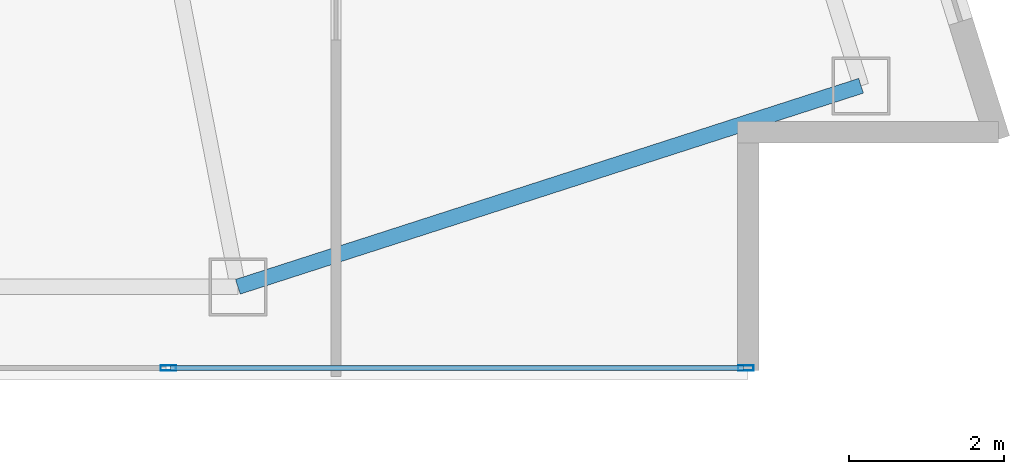
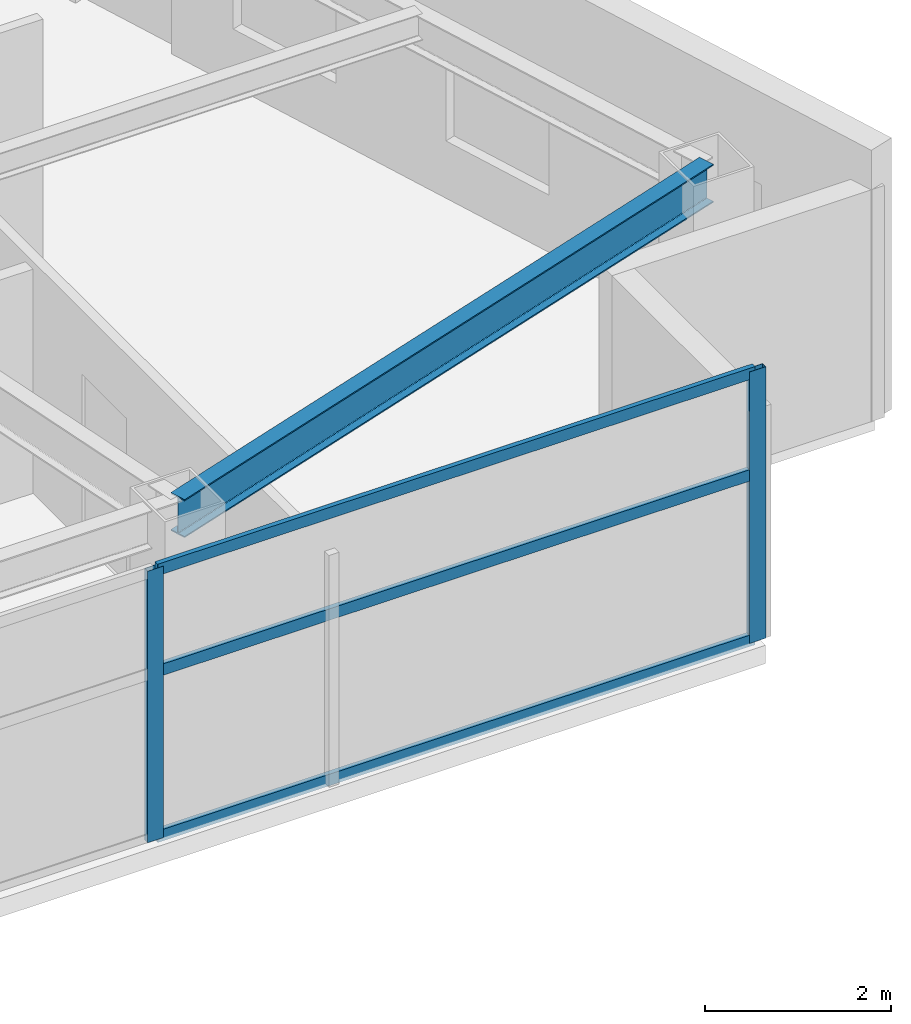
# One storey, part 14 of 28: 5 members, 1 beam, 1 element without a shape of its own.
"""IFC4 building model written with IfcOpenShell, lengths in metres."""

from ifc_helpers import new_model, si_unit, direction, frame, origin, origin_2d, place, context, subcontext, project, spatial, hollow_rectangle, i_section, extrude, material, layer, layer_set, material_profile, profile_set, type_object, element, aggregate, save


model = new_model("IFC4")

# Units and contexts
model_context = context("Model", 3, precision=1e-05, world=origin(), true_north=direction((0.0, 1.0)))
body_context = subcontext(model_context, "Body", "Model", "MODEL_VIEW")
ifc_project = project(units=[si_unit("LENGTHUNIT", "METRE"), si_unit("AREAUNIT", "SQUARE_METRE"), si_unit("VOLUMEUNIT", "CUBIC_METRE"), si_unit("PLANEANGLEUNIT", "RADIAN"), si_unit("MASSUNIT", "GRAM", prefix="KILO")], contexts=[model_context])

# Site, building, storey
site_placement = place(None, origin())
site = spatial("IfcSite", under=ifc_project, at=site_placement, CompositionType="ELEMENT")
building_placement = place(site_placement, origin())
building = spatial("IfcBuilding", under=site, at=building_placement, Name="Calvorn Quay Hotel", CompositionType="ELEMENT")
storey_placement = place(building_placement, frame((0.0, 0.0, 156.10009765625)))
storey = spatial("IfcBuildingStorey", under=building, at=storey_placement, Name="L38", CompositionType="ELEMENT", Elevation=156.10009765625)

# Beam
ifc_material_1 = material(Name="Steel Q355B", Category="steel")
ifc_material_profile_1 = material_profile(ifc_material_1, i_section(OverallWidth=0.199951171875, OverallDepth=0.5, WebThickness=0.010009765625, FlangeThickness=0.01611328125, FilletRadius=0.01611328125, at=origin_2d()), Name="HN500x200x10x16")
ifc_profile_set_1 = profile_set([ifc_material_profile_1], Name="Steel Q355B")
beam_type = type_object("IfcBeamType", Name="BM-SPANDREL-Z1", PredefinedType="SPANDREL", material=ifc_profile_set_1)
beam_placement = place(storey_placement, frame((49.39990234375, 3.60009765625, 3.289794921875), z_axis=(0.951725188386, 0.306951406237, 0.0), x_axis=(-0.306951406237, 0.951725188386, 0.0)))
element("IfcBeam", 1, at=beam_placement, inside=storey, type_object=beam_type, Name="Beam BSP-L38-S6", PredefinedType="SPANDREL", context=body_context, shape_type="SweptSolid", body=[
    extrude(i_section(OverallWidth=0.199951171875, OverallDepth=0.5, WebThickness=0.010009765625, FlangeThickness=0.01611328125, FilletRadius=0.01611328125, at=origin_2d()), origin(), (0.0, 0.0, 1.0), 8.469970703125),
])

# Curtain wall, members
ifc_material_2 = material(Name="Pale Anodised Aluminium and Low-E Glass", Category="aluminium")
ifc_layer = layer(ifc_material_2, 0.219970703125)
ifc_layer_set = layer_set([ifc_layer], Name="CW-SYS-Z2")
curtain_wall_type = type_object("IfcCurtainWallType", Name="CW-SYS-Z2", PredefinedType="NOTDEFINED", material=ifc_layer_set)
curtain_wall_placement = place(storey_placement, origin())
curtain_wall = element("IfcCurtainWall", 2, at=curtain_wall_placement, inside=storey, type_object=curtain_wall_type, Name="Tower South Waterfront Curtain Wall (L38)", PredefinedType="NOTDEFINED")
ifc_material_3 = material(Name="Pale Anodised Aluminium 6063-T6", Category="aluminium")
ifc_material_profile_2 = material_profile(ifc_material_3, hollow_rectangle(XDim=0.070068359375, YDim=0.199951171875, WallThickness=0.00390625, at=origin_2d()), Name="ALU-M200x70x4")
ifc_profile_set_2 = profile_set([ifc_material_profile_2], Name="Pale Anodised Aluminium 6063-T6")
member_type_1 = type_object("IfcMemberType", Name="CW-SYS-Z2-MUL", PredefinedType="MULLION", material=ifc_profile_set_2)
member_1_placement = place(storey_placement, frame((48.5, 2.550048828125, 0.0), z_axis=(0.0, 0.0, 1.0), x_axis=(0.0, 1.0, 0.0)))
member_1 = element("IfcMember", 3, at=member_1_placement, type_object=member_type_1, Name="CW-L38-S mullion 6", PredefinedType="MULLION", context=body_context, shape_type="SweptSolid", body=[
    extrude(hollow_rectangle(XDim=0.070068359375, YDim=0.199951171875, WallThickness=0.00390625, at=origin_2d()), origin(), (0.0, 0.0, 1.0), 3.559814453125),
])
member_2_placement = place(storey_placement, frame((55.969970703125, 2.550048828125, 0.0), z_axis=(0.0, 0.0, 1.0), x_axis=(0.0, 1.0, 0.0)))
member_2 = element("IfcMember", 4, at=member_2_placement, type_object=member_type_1, Name="CW-L38-S mullion 7", PredefinedType="MULLION", context=body_context, shape_type="SweptSolid", body=[
    extrude(hollow_rectangle(XDim=0.070068359375, YDim=0.199951171875, WallThickness=0.00390625, at=origin_2d()), origin(), (0.0, 0.0, 1.0), 3.559814453125),
])
ifc_material_4 = material(Name="Pale Anodised Aluminium 6063-T6", Category="aluminium")
ifc_material_profile_3 = material_profile(ifc_material_4, hollow_rectangle(XDim=0.06005859375, YDim=0.14990234375, WallThickness=0.00341796875, at=origin_2d()), Name="ALU-T150x60x3.5")
ifc_profile_set_3 = profile_set([ifc_material_profile_3], Name="Pale Anodised Aluminium 6063-T6")
member_type_2 = type_object("IfcMemberType", Name="CW-SYS-Z2-TRN", PredefinedType="USERDEFINED", material=ifc_profile_set_3)
member_3_placement = place(storey_placement, frame((48.530029296875, 2.550048828125, 0.02978515625), z_axis=(1.0, 0.0, 0.0), x_axis=(0.0, 1.0, 0.0)))
member_3 = element("IfcMember", 5, at=member_3_placement, type_object=member_type_2, Name="CW-L38-S transom 6.1", ObjectType="TRANSOM", PredefinedType="USERDEFINED", context=body_context, shape_type="SweptSolid", body=[
    extrude(hollow_rectangle(XDim=0.06005859375, YDim=0.14990234375, WallThickness=0.00341796875, at=origin_2d()), origin(), (0.0, 0.0, 1.0), 7.409912109375),
])
member_4_placement = place(storey_placement, frame((48.530029296875, 2.550048828125, 2.199951171875), z_axis=(1.0, 0.0, 0.0), x_axis=(0.0, 1.0, 0.0)))
member_4 = element("IfcMember", 6, at=member_4_placement, type_object=member_type_2, Name="CW-L38-S transom 6.2", ObjectType="TRANSOM", PredefinedType="USERDEFINED", context=body_context, shape_type="SweptSolid", body=[
    extrude(hollow_rectangle(XDim=0.06005859375, YDim=0.14990234375, WallThickness=0.00341796875, at=origin_2d()), origin(), (0.0, 0.0, 1.0), 7.409912109375),
])
member_5_placement = place(storey_placement, frame((48.530029296875, 2.550048828125, 3.52978515625), z_axis=(1.0, 0.0, 0.0), x_axis=(0.0, 1.0, 0.0)))
member_5 = element("IfcMember", 7, at=member_5_placement, type_object=member_type_2, Name="CW-L38-S transom 6.3", ObjectType="TRANSOM", PredefinedType="USERDEFINED", context=body_context, shape_type="SweptSolid", body=[
    extrude(hollow_rectangle(XDim=0.06005859375, YDim=0.14990234375, WallThickness=0.00341796875, at=origin_2d()), origin(), (0.0, 0.0, 1.0), 7.409912109375),
])
aggregate(curtain_wall, [member_1, member_2, member_3, member_4, member_5])

save(model, "model.ifc")
